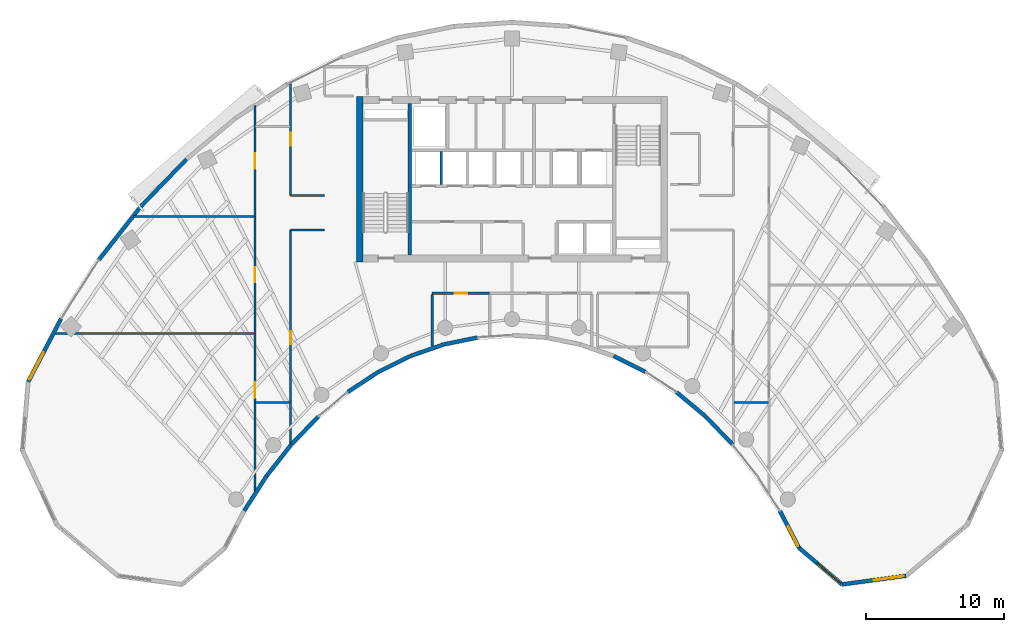
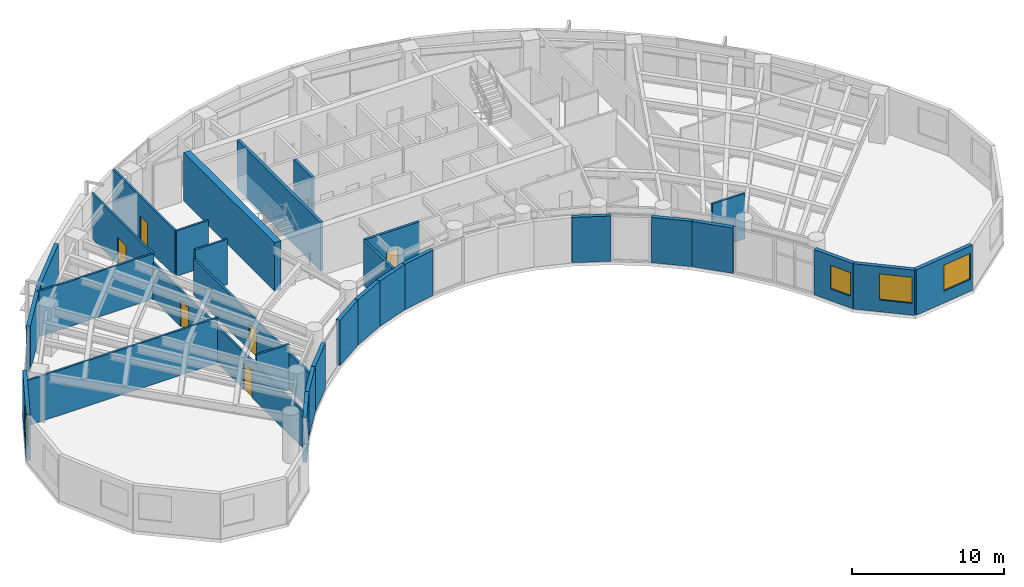
# One storey, part 7 of 13: 32 walls, 6 doors, 4 windows, 10 openings.
"""IFC4 building model written with IfcOpenShell, lengths in metres."""

from ifc_helpers import new_model, si_unit, direction, frame, frame_2d, origin, place, context, subcontext, project, spatial, rectangle, extrude, source, transform, mapped, material, layer, layer_set, type_object, type_shapes, element, fill, save


model = new_model("IFC4")

# Units and contexts
model_context = context("Model", 3, precision=1e-05, world=origin(), true_north=direction((0.0, 1.0)))
body_context = subcontext(model_context, "Body", "Model", "MODEL_VIEW")
ifc_project = project(units=[si_unit("LENGTHUNIT", "METRE"), si_unit("AREAUNIT", "SQUARE_METRE"), si_unit("VOLUMEUNIT", "CUBIC_METRE"), si_unit("PLANEANGLEUNIT", "RADIAN"), si_unit("MASSUNIT", "GRAM", prefix="KILO")], contexts=[model_context])

# Site, building, storey
site_placement = place(None, origin())
site = spatial("IfcSite", under=ifc_project, at=site_placement, CompositionType="ELEMENT")
building_placement = place(site_placement, origin())
building = spatial("IfcBuilding", under=site, at=building_placement, Name="Breltana Convention Tower", CompositionType="ELEMENT")
storey_placement = place(building_placement, frame((0.0, 0.0, 142.800048828125)))
storey = spatial("IfcBuildingStorey", under=building, at=storey_placement, Name="L34", CompositionType="ELEMENT", Elevation=142.800048828125)

# Walls
ifc_material_1 = material(Name="Concrete C60/75", Category="concrete")
ifc_layer_1 = layer(ifc_material_1, 0.5, Name="Concrete C60/75")
ifc_layer_set_1 = layer_set([ifc_layer_1], Name="Concrete C60/75")
wall_type_1 = type_object("IfcWallType", Name="SW-CORE-500", PredefinedType="SHEAR", material=ifc_layer_set_1)
shared_shape_1 = source(origin(), body_context, "Body", "SweptSolid", [
    extrude(rectangle(XDim=12.0, YDim=0.5, at=frame_2d((6.0, 0.0))), origin(), (0.0, 0.0, 1.0), 3.89990234375),
])
wall_1_placement = place(storey_placement, frame((36.949951171875, 60.199951171875, 0.0), z_axis=(0.0, 0.0, 1.0), x_axis=(0.0, 1.0, 0.0)))
element("IfcWall", 1, at=wall_1_placement, inside=storey, type_object=wall_type_1, Name="L34 West Core Shear Wall", PredefinedType="SHEAR", context=body_context, shape_type="MappedRepresentation", body=[
    mapped(shared_shape_1, transform((0.0, 0.0, 0.0), scale=1.0)),
])
ifc_material_2 = material(Name="Concrete C50/60", Category="concrete")
ifc_layer_2 = layer(ifc_material_2, 0.39990234375, Name="Concrete C50/60")
ifc_layer_set_2 = layer_set([ifc_layer_2], Name="Concrete C50/60")
wall_type_2 = type_object("IfcWallType", Name="SW-CORE-400", PredefinedType="SHEAR", material=ifc_layer_set_2)
shared_shape_2 = source(origin(), body_context, "Body", "SweptSolid", [
    extrude(rectangle(XDim=11.0, YDim=0.219970703125, at=frame_2d((5.5, 0.0))), origin(), (0.0, 0.0, 1.0), 3.89990234375),
])
wall_2_placement = place(storey_placement, frame((40.580078125, 60.699951171875, 0.0), z_axis=(0.0, 0.0, 1.0), x_axis=(0.0, 1.0, 0.0)))
element("IfcWall", 2, at=wall_2_placement, inside=storey, type_object=wall_type_2, Name="L34 Core West Stair Spine Wall", PredefinedType="SHEAR", context=body_context, shape_type="MappedRepresentation", body=[
    mapped(shared_shape_2, transform((0.0, 0.0, 0.0), scale=1.0)),
])

# Wall, opening, window
ifc_material_3 = material(Name="Limestone Buff Insulated Wall", Category="masonry")
ifc_layer_3 = layer(ifc_material_3, 0.280029296875, Name="Limestone Buff Insulated Wall")
ifc_layer_set_3 = layer_set([ifc_layer_3], Name="Limestone Buff Insulated Wall")
wall_type_3 = type_object("IfcWallType", Name="WL-EXT-NOSE-280", PredefinedType="SOLIDWALL", material=ifc_layer_set_3)
shared_shape_3 = source(origin(), body_context, "Body", "SweptSolid", [
    extrude(rectangle(XDim=4.680419921875, YDim=0.280029296875, at=frame_2d((2.34033203125, 0.0))), origin(), (0.0, 0.0, 1.0), 3.64990234375),
])
wall_3_placement = place(storey_placement, frame((76.594482421875, 37.41650390625, 0.0), z_axis=(0.0, 0.0, 1.0), x_axis=(-0.990931146435, -0.134370618162, 0.0)))
wall_3 = element("IfcWall", 3, at=wall_3_placement, inside=storey, type_object=wall_type_3, Name="L34 curved limestone nose wall E4", PredefinedType="SOLIDWALL", context=body_context, shape_type="MappedRepresentation", body=[
    mapped(shared_shape_3, transform((0.0, 0.0, 0.0), scale=1.0)),
])
opening_1_placement = place(wall_3_placement, frame((0.159912109375, 0.0, 0.949951171875)))
opening_1 = element("IfcOpeningElement", 4, at=opening_1_placement, cuts=wall_3, Name="Opening W-03", PredefinedType="OPENING", context=body_context, shape_type="SweptSolid", body=[
    extrude(rectangle(XDim=2.199951171875, YDim=2.10009765625, at=frame_2d((1.10009765625, 1.050048828125))), frame((0.0, 0.14990234375, 0.0), z_axis=(0.0, -1.0, 0.0), x_axis=(1.0, 0.0, 0.0)), (0.0, 0.0, 1.0), 0.300048828125),
])
ifc_material_4 = material(Name="Glass Low-E Insulated Window", Category="glass")
window_type_1 = type_object("IfcWindowType", Name="WN-NOSE-2200X2100", PartitioningType="TRIPLE_PANEL_VERTICAL", PredefinedType="WINDOW", material=ifc_material_4)
shared_shape_4 = source(origin(), body_context, "Body", "SweptSolid", [
    extrude(rectangle(XDim=2.199951171875, YDim=2.10009765625, at=frame_2d((1.10009765625, 1.050048828125))), frame((0.0, 0.030029296875, 0.0), z_axis=(0.0, -1.0, 0.0), x_axis=(1.0, 0.0, 0.0)), (0.0, 0.0, 1.0), 0.06005859375),
])
type_shapes(window_type_1, [shared_shape_4])
window_1_placement = place(opening_1_placement, origin())
window_1 = element("IfcWindow", 5, at=window_1_placement, inside=storey, type_object=window_type_1, Name="L34 nose window E4", OverallHeight=2.10009765625, OverallWidth=2.199951171875, PartitioningType="TRIPLE_PANEL_VERTICAL", PredefinedType="WINDOW", context=body_context, shape_type="MappedRepresentation", body=[
    mapped(shared_shape_4, transform((0.0, 0.0, 0.0), scale=1.0)),
])
fill(opening_1, window_1)

shared_shape_5 = source(origin(), body_context, "Body", "SweptSolid", [
    extrude(rectangle(XDim=4.095947265625, YDim=0.280029296875, at=frame_2d((2.0478515625, 0.0))), origin(), (0.0, 0.0, 1.0), 3.64990234375),
])
wall_4_placement = place(storey_placement, frame((71.95654296875, 36.78759765625, 0.0), z_axis=(0.0, 0.0, 1.0), x_axis=(-0.761926081737, 0.647663991564, 0.0)))
wall_4 = element("IfcWall", 6, at=wall_4_placement, inside=storey, type_object=wall_type_3, Name="L34 curved limestone nose wall E5", PredefinedType="SOLIDWALL", context=body_context, shape_type="MappedRepresentation", body=[
    mapped(shared_shape_5, transform((0.0, 0.0, 0.0), scale=1.0)),
])
opening_2_placement = place(wall_4_placement, frame((0.159912109375, 0.0, 0.949951171875)))
opening_2 = element("IfcOpeningElement", 7, at=opening_2_placement, cuts=wall_4, Name="Opening W-03", PredefinedType="OPENING", context=body_context, shape_type="SweptSolid", body=[
    extrude(rectangle(XDim=2.199951171875, YDim=2.10009765625, at=frame_2d((1.10009765625, 1.050048828125))), frame((0.0, 0.14990234375, 0.0), z_axis=(0.0, -1.0, 0.0), x_axis=(1.0, 0.0, 0.0)), (0.0, 0.0, 1.0), 0.300048828125),
])
window_2_placement = place(opening_2_placement, origin())
window_2 = element("IfcWindow", 8, at=window_2_placement, inside=storey, type_object=window_type_1, Name="L34 nose window E5", OverallHeight=2.10009765625, OverallWidth=2.199951171875, PartitioningType="TRIPLE_PANEL_VERTICAL", PredefinedType="WINDOW", context=body_context, shape_type="MappedRepresentation", body=[
    mapped(shared_shape_4, transform((0.0, 0.0, 0.0), scale=1.0)),
])
fill(opening_2, window_2)

shared_shape_6 = source(origin(), body_context, "Body", "SweptSolid", [
    extrude(rectangle(XDim=3.02392578125, YDim=0.280029296875, at=frame_2d((1.511962890625, 0.0))), origin(), (0.0, 0.0, 1.0), 3.64990234375),
])
wall_5_placement = place(storey_placement, frame((68.835693359375, 39.4404296875, 0.0), z_axis=(0.0, 0.0, 1.0), x_axis=(-0.461718746531, 0.887026380161, 0.0)))
wall_5 = element("IfcWall", 9, at=wall_5_placement, inside=storey, type_object=wall_type_3, Name="L34 curved limestone nose wall E6", PredefinedType="SOLIDWALL", context=body_context, shape_type="MappedRepresentation", body=[
    mapped(shared_shape_6, transform((0.0, 0.0, 0.0), scale=1.0)),
])
opening_3_placement = place(wall_5_placement, frame((0.159912109375, 0.0, 0.949951171875)))
opening_3 = element("IfcOpeningElement", 10, at=opening_3_placement, cuts=wall_5, Name="Opening W-04", PredefinedType="OPENING", context=body_context, shape_type="SweptSolid", body=[
    extrude(rectangle(XDim=1.60009765625, YDim=1.89990234375, at=frame_2d((0.800048828125, 0.949951171875))), frame((0.0, 0.14990234375, 0.0), z_axis=(0.0, -1.0, 0.0), x_axis=(1.0, 0.0, 0.0)), (0.0, 0.0, 1.0), 0.300048828125),
])
window_type_2 = type_object("IfcWindowType", Name="WN-NOSE-1600X1900", PartitioningType="SINGLE_PANEL", PredefinedType="WINDOW", material=ifc_material_4)
shared_shape_7 = source(origin(), body_context, "Body", "SweptSolid", [
    extrude(rectangle(XDim=1.60009765625, YDim=1.89990234375, at=frame_2d((0.800048828125, 0.949951171875))), frame((0.0, 0.030029296875, 0.0), z_axis=(0.0, -1.0, 0.0), x_axis=(1.0, 0.0, 0.0)), (0.0, 0.0, 1.0), 0.06005859375),
])
type_shapes(window_type_2, [shared_shape_7])
window_3_placement = place(opening_3_placement, origin())
window_3 = element("IfcWindow", 11, at=window_3_placement, inside=storey, type_object=window_type_2, Name="L34 nose window E6", OverallHeight=1.89990234375, OverallWidth=1.60009765625, PartitioningType="SINGLE_PANEL", PredefinedType="WINDOW", context=body_context, shape_type="MappedRepresentation", body=[
    mapped(shared_shape_7, transform((0.0, 0.0, 0.0), scale=1.0)),
])
fill(opening_3, window_3)

# Walls
shared_shape_8 = source(origin(), body_context, "Body", "SweptSolid", [
    extrude(rectangle(XDim=2.812255859375, YDim=0.280029296875, at=frame_2d((1.40625, 0.0))), origin(), (0.0, 0.0, 1.0), 3.64990234375),
])
for number, where, z_axis, x_axis, name in (
    (12, (64.00830078125, 46.9501953125, 0.0), (0.0, 0.0, 1.0), (-0.694583668785, 0.719411931411, 0.0), "L34 curved limestone nose wall E7"),
    (13, (33.945068359375, 48.973388671875, 0.0), (0.0, 0.0, 1.0), (-0.694583668785, -0.719411931411, 0.0), "L34 curved limestone nose wall E17"),
):
    element("IfcWall", number, at=place(storey_placement, frame(where, z_axis=z_axis, x_axis=x_axis)), inside=storey, type_object=wall_type_3, Name=name, PredefinedType="SOLIDWALL", context=body_context, shape_type="MappedRepresentation", body=[
        mapped(shared_shape_8, transform((0.0, 0.0, 0.0), scale=1.0)),
    ])
shared_shape_9 = source(origin(), body_context, "Body", "SweptSolid", [
    extrude(rectangle(XDim=2.7294921875, YDim=0.280029296875, at=frame_2d((1.36474609375, 0.0))), origin(), (0.0, 0.0, 1.0), 3.64990234375),
])
wall_6_placement = place(storey_placement, frame((62.040771484375, 48.986572265625, 0.0), z_axis=(0.0, 0.0, 1.0), x_axis=(-0.767957284255, 0.640501061326, 0.0)))
element("IfcWall", 14, at=wall_6_placement, inside=storey, type_object=wall_type_3, Name="L34 curved limestone nose wall E8", PredefinedType="SOLIDWALL", context=body_context, shape_type="MappedRepresentation", body=[
    mapped(shared_shape_9, transform((0.0, 0.0, 0.0), scale=1.0)),
])
shared_shape_10 = source(origin(), body_context, "Body", "SweptSolid", [
    extrude(rectangle(XDim=2.58447265625, YDim=0.280029296875, at=frame_2d((1.292236328125, 0.0))), origin(), (0.0, 0.0, 1.0), 3.64990234375),
])
for number, where, z_axis, x_axis, name in (
    (15, (57.692138671875, 52.21337890625, 0.0), (0.0, 0.0, 1.0), (-0.895989792847, 0.44407464588, 0.0), "L34 curved limestone nose wall E9"),
    (16, (40.62353515625, 53.361083984375, 0.0), (0.0, 0.0, 1.0), (-0.895989792847, -0.44407464588, 0.0), "L34 curved limestone nose wall E15"),
):
    element("IfcWall", number, at=place(storey_placement, frame(where, z_axis=z_axis, x_axis=x_axis)), inside=storey, type_object=wall_type_3, Name=name, PredefinedType="SOLIDWALL", context=body_context, shape_type="MappedRepresentation", body=[
        mapped(shared_shape_10, transform((0.0, 0.0, 0.0), scale=1.0)),
    ])
shared_shape_11 = source(origin(), body_context, "Body", "SweptSolid", [
    extrude(rectangle(XDim=2.52978515625, YDim=0.280029296875, at=frame_2d((1.264892578125, 0.0))), origin(), (0.0, 0.0, 1.0), 3.64990234375),
])
wall_7_placement = place(storey_placement, frame((43.034912109375, 54.1982421875, 0.0), z_axis=(0.0, 0.0, 1.0), x_axis=(-0.944872429646, -0.327438683872, 0.0)))
element("IfcWall", 17, at=wall_7_placement, inside=storey, type_object=wall_type_3, Name="L34 curved limestone nose wall E14", PredefinedType="SOLIDWALL", context=body_context, shape_type="MappedRepresentation", body=[
    mapped(shared_shape_11, transform((0.0, 0.0, 0.0), scale=1.0)),
])
shared_shape_12 = source(origin(), body_context, "Body", "SweptSolid", [
    extrude(rectangle(XDim=2.4912109375, YDim=0.280029296875, at=frame_2d((1.24560546875, 0.0))), origin(), (0.0, 0.0, 1.0), 3.64990234375),
])
wall_8_placement = place(storey_placement, frame((45.498046875, 54.704833984375, 0.0), z_axis=(0.0, 0.0, 1.0), x_axis=(-0.979630885979, -0.200806691214, 0.0)))
element("IfcWall", 18, at=wall_8_placement, inside=storey, type_object=wall_type_3, Name="L34 curved limestone nose wall E13", PredefinedType="SOLIDWALL", context=body_context, shape_type="MappedRepresentation", body=[
    mapped(shared_shape_12, transform((0.0, 0.0, 0.0), scale=1.0)),
])
shared_shape_13 = source(origin(), body_context, "Body", "SweptSolid", [
    extrude(rectangle(XDim=2.65234375, YDim=0.280029296875, at=frame_2d((1.326171875, 0.0))), origin(), (0.0, 0.0, 1.0), 3.64990234375),
])
wall_9_placement = place(storey_placement, frame((38.2890625, 52.202392578125, 0.0), z_axis=(0.0, 0.0, 1.0), x_axis=(-0.836008323535, -0.54871676025, 0.0)))
element("IfcWall", 19, at=wall_9_placement, inside=storey, type_object=wall_type_3, Name="L34 curved limestone nose wall E16", PredefinedType="SOLIDWALL", context=body_context, shape_type="MappedRepresentation", body=[
    mapped(shared_shape_13, transform((0.0, 0.0, 0.0), scale=1.0)),
])
shared_shape_14 = source(origin(), body_context, "Body", "SweptSolid", [
    extrude(rectangle(XDim=2.89697265625, YDim=0.280029296875, at=frame_2d((1.448486328125, 0.0))), origin(), (0.0, 0.0, 1.0), 3.64990234375),
])
wall_10_placement = place(storey_placement, frame((31.9794921875, 46.936279296875, 0.0), z_axis=(0.0, 0.0, 1.0), x_axis=(-0.618167636915, -0.786046291685, 0.0)))
element("IfcWall", 20, at=wall_10_placement, inside=storey, type_object=wall_type_3, Name="L34 curved limestone nose wall E18", PredefinedType="SOLIDWALL", context=body_context, shape_type="MappedRepresentation", body=[
    mapped(shared_shape_14, transform((0.0, 0.0, 0.0), scale=1.0)),
])
shared_shape_15 = source(origin(), body_context, "Body", "SweptSolid", [
    extrude(rectangle(XDim=2.980712890625, YDim=0.280029296875, at=frame_2d((1.490234375, 0.0))), origin(), (0.0, 0.0, 1.0), 3.64990234375),
])
wall_11_placement = place(storey_placement, frame((30.1787109375, 44.64501953125, 0.0), z_axis=(0.0, 0.0, 1.0), x_axis=(-0.540194451908, -0.841540227278, 0.0)))
element("IfcWall", 21, at=wall_11_placement, inside=storey, type_object=wall_type_3, Name="L34 curved limestone nose wall E19", PredefinedType="SOLIDWALL", context=body_context, shape_type="MappedRepresentation", body=[
    mapped(shared_shape_15, transform((0.0, 0.0, 0.0), scale=1.0)),
])

# Wall, opening, window
shared_shape_16 = source(origin(), body_context, "Body", "SweptSolid", [
    extrude(rectangle(XDim=5.1708984375, YDim=0.280029296875, at=frame_2d((2.58544921875, 0.0))), origin(), (0.0, 0.0, 1.0), 3.64990234375),
])
wall_12_placement = place(storey_placement, frame((12.897705078125, 51.48876953125, 0.0), z_axis=(0.0, 0.0, 1.0), x_axis=(0.461752581363, 0.887008767491, 0.0)))
wall_12 = element("IfcWall", 22, at=wall_12_placement, inside=storey, type_object=wall_type_3, Name="L34 curved limestone nose wall W7", PredefinedType="SOLIDWALL", context=body_context, shape_type="MappedRepresentation", body=[
    mapped(shared_shape_16, transform((0.0, 0.0, 0.0), scale=1.0)),
])
opening_4_placement = place(wall_12_placement, frame((0.19287109375, 0.0, 0.949951171875)))
opening_4 = element("IfcOpeningElement", 23, at=opening_4_placement, cuts=wall_12, Name="Opening W-03", PredefinedType="OPENING", context=body_context, shape_type="SweptSolid", body=[
    extrude(rectangle(XDim=2.199951171875, YDim=2.10009765625, at=frame_2d((1.10009765625, 1.050048828125))), frame((0.0, 0.14990234375, 0.0), z_axis=(0.0, -1.0, 0.0), x_axis=(1.0, 0.0, 0.0)), (0.0, 0.0, 1.0), 0.300048828125),
])
window_4_placement = place(opening_4_placement, origin())
window_4 = element("IfcWindow", 24, at=window_4_placement, inside=storey, type_object=window_type_1, Name="L34 nose window W7", OverallHeight=2.10009765625, OverallWidth=2.199951171875, PartitioningType="TRIPLE_PANEL_VERTICAL", PredefinedType="WINDOW", context=body_context, shape_type="MappedRepresentation", body=[
    mapped(shared_shape_4, transform((0.0, 0.0, 0.0), scale=1.0)),
])
fill(opening_4, window_4)

# Walls
shared_shape_17 = source(origin(), body_context, "Body", "SweptSolid", [
    extrude(rectangle(XDim=4.921630859375, YDim=0.280029296875, at=frame_2d((2.4609375, 0.0))), origin(), (0.0, 0.0, 1.0), 3.64990234375),
])
wall_13_placement = place(storey_placement, frame((18.021240234375, 60.337646484375, 0.0), z_axis=(0.0, 0.0, 1.0), x_axis=(0.61817639101, 0.786039407153, 0.0)))
element("IfcWall", 25, at=wall_13_placement, inside=storey, type_object=wall_type_3, Name="L34 curved limestone nose wall E20", PredefinedType="SOLIDWALL", context=body_context, shape_type="MappedRepresentation", body=[
    mapped(shared_shape_17, transform((0.0, 0.0, 0.0), scale=1.0)),
])
shared_shape_18 = source(origin(), body_context, "Body", "SweptSolid", [
    extrude(rectangle(XDim=4.77587890625, YDim=0.280029296875, at=frame_2d((2.387939453125, 0.0))), origin(), (0.0, 0.0, 1.0), 3.64990234375),
])
wall_14_placement = place(storey_placement, frame((21.063720703125, 64.206298828125, 0.0), z_axis=(0.0, 0.0, 1.0), x_axis=(0.694601811851, 0.719394414055, 0.0)))
element("IfcWall", 26, at=wall_14_placement, inside=storey, type_object=wall_type_3, Name="L34 curved limestone nose wall E21", PredefinedType="SOLIDWALL", context=body_context, shape_type="MappedRepresentation", body=[
    mapped(shared_shape_18, transform((0.0, 0.0, 0.0), scale=1.0)),
])
ifc_material_5 = material(Name="Autoclaved Aerated Concrete Block", Category="concrete")
ifc_layer_4 = layer(ifc_material_5, 0.199951171875, Name="Autoclaved Aerated Concrete Block")
ifc_layer_set_4 = layer_set([ifc_layer_4], Name="Autoclaved Aerated Concrete Block")
wall_type_4 = type_object("IfcWallType", Name="WL-SHAFT-200", PredefinedType="SOLIDWALL", material=ifc_layer_set_4)
shared_shape_19 = source(origin(), body_context, "Body", "SweptSolid", [
    extrude(rectangle(XDim=2.39990234375, YDim=0.199951171875, at=frame_2d((1.199951171875, 0.0))), origin(), (0.0, 0.0, 1.0), 3.64990234375),
])
wall_15_placement = place(storey_placement, frame((42.8701171875, 65.800048828125, 0.0), z_axis=(0.0, 0.0, 1.0), x_axis=(0.0, 1.0, 0.0)))
element("IfcWall", 27, at=wall_15_placement, inside=storey, type_object=wall_type_4, Name="L34 interior partition W-L34-SH-M-DIV1", PredefinedType="SOLIDWALL", context=body_context, shape_type="MappedRepresentation", body=[
    mapped(shared_shape_19, transform((0.0, 0.0, 0.0), scale=1.0)),
])

# Wall, opening, door
ifc_material_6 = material(Name="Moisture-Resistant Gypsum Chase Wall")
ifc_layer_5 = layer(ifc_material_6, 0.179931640625, Name="Moisture-Resistant Gypsum Chase Wall")
ifc_layer_set_5 = layer_set([ifc_layer_5], Name="Moisture-Resistant Gypsum Chase Wall")
wall_type_5 = type_object("IfcWallType", Name="WL-PLUMB-180", PredefinedType="PLUMBINGWALL", material=ifc_layer_set_5)
shared_shape_20 = source(origin(), body_context, "Body", "SweptSolid", [
    extrude(rectangle(XDim=4.176025390625, YDim=0.179931640625, at=frame_2d((2.087890625, 0.0))), origin(), (0.0, 0.0, 1.0), 3.64990234375),
])
wall_16_placement = place(storey_placement, frame((42.199951171875, 57.919921875, 0.0), z_axis=(0.0, 0.0, 1.0), x_axis=(1.0, 0.0, 0.0)))
wall_16 = element("IfcWall", 28, at=wall_16_placement, inside=storey, type_object=wall_type_5, Name="L34 interior partition W-L34-WCM-N", PredefinedType="PLUMBINGWALL", context=body_context, shape_type="MappedRepresentation", body=[
    mapped(shared_shape_20, transform((0.0, 0.0, 0.0), scale=1.0)),
])
opening_5_placement = place(wall_16_placement, frame((1.637939453125, 0.0, 0.0)))
opening_5 = element("IfcOpeningElement", 29, at=opening_5_placement, cuts=wall_16, Name="Opening D-19", PredefinedType="OPENING", context=body_context, shape_type="SweptSolid", body=[
    extrude(rectangle(XDim=0.89990234375, YDim=2.080078125, at=frame_2d((0.449951171875, 1.0400390625))), frame((0.0, 0.10009765625, 0.0), z_axis=(0.0, -1.0, 0.0), x_axis=(1.0, 0.0, 0.0)), (0.0, 0.0, 1.0), 0.199951171875),
])
ifc_material_7 = material(Name="Timber Moisture-Resistant Door", Category="wood")
door_type_1 = type_object("IfcDoorType", Name="DR-WC-900", OperationType="NOTDEFINED", PredefinedType="DOOR", material=ifc_material_7)
shared_shape_21 = source(origin(), body_context, "Body", "SweptSolid", [
    extrude(rectangle(XDim=0.89990234375, YDim=2.080078125, at=frame_2d((0.449951171875, 1.0400390625))), frame((0.0, 0.02490234375, 0.0), z_axis=(0.0, -1.0, 0.0), x_axis=(1.0, 0.0, 0.0)), (0.0, 0.0, 1.0), 0.050048828125),
])
type_shapes(door_type_1, [shared_shape_21])
door_1_placement = place(opening_5_placement, origin())
door_1 = element("IfcDoor", 30, at=door_1_placement, inside=storey, type_object=door_type_1, Name="L34 interior door D-L34-WCM", OperationType="SINGLE_SWING_LEFT", OverallHeight=2.080078125, OverallWidth=0.89990234375, PredefinedType="DOOR", context=body_context, shape_type="MappedRepresentation", body=[
    mapped(shared_shape_21, transform((0.0, 0.0, 0.0), scale=1.0)),
])
fill(opening_5, door_1)

# Walls
ifc_material_8 = material(Name="Cement Board Wet-Area Partition")
ifc_layer_6 = layer(ifc_material_8, 0.175048828125, Name="Cement Board Wet-Area Partition")
ifc_layer_set_6 = layer_set([ifc_layer_6], Name="Cement Board Wet-Area Partition")
wall_type_6 = type_object("IfcWallType", Name="WL-WET-175", PredefinedType="PARTITIONING", material=ifc_layer_set_6)
shared_shape_22 = source(origin(), body_context, "Body", "SweptSolid", [
    extrude(rectangle(XDim=3.7626953125, YDim=0.175048828125, at=frame_2d((1.88134765625, 0.0))), origin(), (0.0, 0.0, 1.0), 3.64990234375),
])
wall_17_placement = place(storey_placement, frame((42.199951171875, 54.07861328125, 0.0), z_axis=(0.0, 0.0, 1.0), x_axis=(0.0, 1.0, 0.0)))
element("IfcWall", 31, at=wall_17_placement, inside=storey, type_object=wall_type_6, Name="L34 interior partition W-L34-WCM-W", PredefinedType="PARTITIONING", context=body_context, shape_type="MappedRepresentation", body=[
    mapped(shared_shape_22, transform((0.0, 0.0, 0.0), scale=1.0)),
])
ifc_material_9 = material(Name="Gypsum Acoustic Drywall Partition")
ifc_layer_7 = layer(ifc_material_9, 0.14990234375, Name="Gypsum Acoustic Drywall Partition")
ifc_layer_set_7 = layer_set([ifc_layer_7], Name="Gypsum Acoustic Drywall Partition")
wall_type_7 = type_object("IfcWallType", Name="WL-PART-150", PredefinedType="PARTITIONING", material=ifc_layer_set_7)
shared_shape_23 = source(origin(), body_context, "Body", "SweptSolid", [
    extrude(rectangle(XDim=2.5, YDim=0.14990234375, at=frame_2d((1.25, 0.0))), origin(), (0.0, 0.0, 1.0), 3.64990234375),
])
for number, where, z_axis, x_axis, name in (
    (32, (29.39990234375, 50.0, 0.0), (0.0, 0.0, 1.0), (1.0, 0.0, 0.0), "L34 interior partition W-L34-CORNW-S"),
    (33, (64.10009765625, 50.0, 0.0), (0.0, 0.0, 1.0), (1.0, 0.0, 0.0), "L34 interior partition W-L34-CORNE-S"),
):
    element("IfcWall", number, at=place(storey_placement, frame(where, z_axis=z_axis, x_axis=x_axis)), inside=storey, type_object=wall_type_7, Name=name, PredefinedType="PARTITIONING", context=body_context, shape_type="MappedRepresentation", body=[
        mapped(shared_shape_23, transform((0.0, 0.0, 0.0), scale=1.0)),
    ])

# Wall, opening, door
shared_shape_24 = source(origin(), body_context, "Body", "SweptSolid", [
    extrude(rectangle(XDim=11.61181640625, YDim=0.14990234375, at=frame_2d((5.805908203125, 0.0))), origin(), (0.0, 0.0, 1.0), 2.94189453125),
])
wall_18_placement = place(storey_placement, frame((29.360107421875, 43.38818359375, 0.0), z_axis=(0.0, 0.0, 1.0), x_axis=(0.0, 1.0, 0.0)))
wall_18 = element("IfcWall", 34, at=wall_18_placement, inside=storey, type_object=wall_type_7, Name="L34 interior partition W-L34-ZW1-E", PredefinedType="PARTITIONING", context=body_context, shape_type="MappedRepresentation", body=[
    mapped(shared_shape_24, transform((0.0, 0.0, 0.0), scale=1.0)),
])
opening_6_placement = place(wall_18_placement, frame((6.9619140625, 0.0, 0.0)))
opening_6 = element("IfcOpeningElement", 35, at=opening_6_placement, cuts=wall_18, Name="Opening D-12", PredefinedType="OPENING", context=body_context, shape_type="SweptSolid", body=[
    extrude(rectangle(XDim=1.10009765625, YDim=2.14990234375, at=frame_2d((0.550048828125, 1.074951171875))), frame((0.0, 0.0849609375, 0.0), z_axis=(0.0, -1.0, 0.0), x_axis=(1.0, 0.0, 0.0)), (0.0, 0.0, 1.0), 0.169921875),
])
ifc_material_10 = material(Name="Timber Oak Acoustic Door", Category="wood")
door_type_2 = type_object("IfcDoorType", Name="DR-INT-1100", OperationType="NOTDEFINED", PredefinedType="DOOR", material=ifc_material_10)
shared_shape_25 = source(origin(), body_context, "Body", "SweptSolid", [
    extrude(rectangle(XDim=1.10009765625, YDim=2.14990234375, at=frame_2d((0.550048828125, 1.074951171875))), frame((0.0, 0.02490234375, 0.0), z_axis=(0.0, -1.0, 0.0), x_axis=(1.0, 0.0, 0.0)), (0.0, 0.0, 1.0), 0.050048828125),
])
type_shapes(door_type_2, [shared_shape_25])
door_2_placement = place(opening_6_placement, origin())
door_2 = element("IfcDoor", 36, at=door_2_placement, inside=storey, type_object=door_type_2, Name="L34 interior door D-L34-ZW1", OperationType="SINGLE_SWING_LEFT", OverallHeight=2.14990234375, OverallWidth=1.10009765625, PredefinedType="DOOR", context=body_context, shape_type="MappedRepresentation", body=[
    mapped(shared_shape_25, transform((0.0, 0.0, 0.0), scale=1.0)),
])
fill(opening_6, door_2)

# Wall
shared_shape_26 = source(origin(), body_context, "Body", "SweptSolid", [
    extrude(rectangle(XDim=14.623291015625, YDim=0.14990234375, at=frame_2d((7.3115234375, 0.0))), origin(), (0.0, 0.0, 1.0), 3.64990234375),
])
wall_19_placement = place(storey_placement, frame((14.73681640625, 55.0, 0.0), z_axis=(0.0, 0.0, 1.0), x_axis=(1.0, 0.0, 0.0)))
element("IfcWall", 37, at=wall_19_placement, inside=storey, type_object=wall_type_7, Name="L34 interior partition W-L34-ZW1-N", PredefinedType="PARTITIONING", context=body_context, shape_type="MappedRepresentation", body=[
    mapped(shared_shape_26, transform((0.0, 0.0, 0.0), scale=1.0)),
])

# Wall, opening, door
shared_shape_27 = source(origin(), body_context, "Body", "SweptSolid", [
    extrude(rectangle(XDim=8.5, YDim=0.14990234375, at=frame_2d((4.25, 0.0))), origin(), (0.0, 0.0, 1.0), 2.94189453125),
])
wall_20_placement = place(storey_placement, frame((29.360107421875, 55.0, 0.0), z_axis=(0.0, 0.0, 1.0), x_axis=(0.0, 1.0, 0.0)))
wall_20 = element("IfcWall", 38, at=wall_20_placement, inside=storey, type_object=wall_type_7, Name="L34 interior partition W-L34-ZW2-E", PredefinedType="PARTITIONING", context=body_context, shape_type="MappedRepresentation", body=[
    mapped(shared_shape_27, transform((0.0, 0.0, 0.0), scale=1.0)),
])
opening_7_placement = place(wall_20_placement, frame((3.699951171875, 0.0, 0.0)))
opening_7 = element("IfcOpeningElement", 39, at=opening_7_placement, cuts=wall_20, Name="Opening D-12", PredefinedType="OPENING", context=body_context, shape_type="SweptSolid", body=[
    extrude(rectangle(XDim=1.10009765625, YDim=2.14990234375, at=frame_2d((0.550048828125, 1.074951171875))), frame((0.0, 0.0849609375, 0.0), z_axis=(0.0, -1.0, 0.0), x_axis=(1.0, 0.0, 0.0)), (0.0, 0.0, 1.0), 0.169921875),
])
door_3_placement = place(opening_7_placement, origin())
door_3 = element("IfcDoor", 40, at=door_3_placement, inside=storey, type_object=door_type_2, Name="L34 interior door D-L34-ZW2", OperationType="SINGLE_SWING_RIGHT", OverallHeight=2.14990234375, OverallWidth=1.10009765625, PredefinedType="DOOR", context=body_context, shape_type="MappedRepresentation", body=[
    mapped(shared_shape_25, transform((0.0, 0.0, 0.0), scale=1.0)),
])
fill(opening_7, door_3)

# Wall
shared_shape_28 = source(origin(), body_context, "Body", "SweptSolid", [
    extrude(rectangle(XDim=8.839111328125, YDim=0.14990234375, at=frame_2d((4.41943359375, 0.0))), origin(), (0.0, 0.0, 1.0), 3.64990234375),
])
wall_21_placement = place(storey_placement, frame((20.52099609375, 63.5, 0.0), z_axis=(0.0, 0.0, 1.0), x_axis=(1.0, 0.0, 0.0)))
element("IfcWall", 41, at=wall_21_placement, inside=storey, type_object=wall_type_7, Name="L34 interior partition W-L34-ZW2-N", PredefinedType="PARTITIONING", context=body_context, shape_type="MappedRepresentation", body=[
    mapped(shared_shape_28, transform((0.0, 0.0, 0.0), scale=1.0)),
])

# Wall, opening, door
shared_shape_29 = source(origin(), body_context, "Body", "SweptSolid", [
    extrude(rectangle(XDim=8.03076171875, YDim=0.14990234375, at=frame_2d((4.015380859375, 0.0))), origin(), (0.0, 0.0, 1.0), 3.64990234375),
])
wall_22_placement = place(storey_placement, frame((29.360107421875, 63.5, 0.0), z_axis=(0.0, 0.0, 1.0), x_axis=(0.0, 1.0, 0.0)))
wall_22 = element("IfcWall", 42, at=wall_22_placement, inside=storey, type_object=wall_type_7, Name="L34 interior partition W-L34-ZW3-E", PredefinedType="PARTITIONING", context=body_context, shape_type="MappedRepresentation", body=[
    mapped(shared_shape_29, transform((0.0, 0.0, 0.0), scale=1.0)),
])
opening_8_placement = place(wall_22_placement, frame((3.46533203125, 0.0, 0.0)))
opening_8 = element("IfcOpeningElement", 43, at=opening_8_placement, cuts=wall_22, Name="Opening D-12", PredefinedType="OPENING", context=body_context, shape_type="SweptSolid", body=[
    extrude(rectangle(XDim=1.10009765625, YDim=2.14990234375, at=frame_2d((0.550048828125, 1.074951171875))), frame((0.0, 0.0849609375, 0.0), z_axis=(0.0, -1.0, 0.0), x_axis=(1.0, 0.0, 0.0)), (0.0, 0.0, 1.0), 0.169921875),
])
door_4_placement = place(opening_8_placement, origin())
door_4 = element("IfcDoor", 44, at=door_4_placement, inside=storey, type_object=door_type_2, Name="L34 interior door D-L34-ZW3", OperationType="SINGLE_SWING_LEFT", OverallHeight=2.14990234375, OverallWidth=1.10009765625, PredefinedType="DOOR", context=body_context, shape_type="MappedRepresentation", body=[
    mapped(shared_shape_25, transform((0.0, 0.0, 0.0), scale=1.0)),
])
fill(opening_8, door_4)

shared_shape_30 = source(origin(), body_context, "Body", "SweptSolid", [
    extrude(rectangle(XDim=15.597900390625, YDim=0.14990234375, at=frame_2d((7.798828125, 0.0))), origin(), (0.0, 0.0, 1.0), 2.94189453125),
])
wall_23_placement = place(storey_placement, frame((31.93994140625, 46.902099609375, 0.0), z_axis=(0.0, 0.0, 1.0), x_axis=(0.0, 1.0, 0.0)))
wall_23 = element("IfcWall", 45, at=wall_23_placement, inside=storey, type_object=wall_type_7, Name="L34 interior partition W-L34-ZMW1-D", PredefinedType="PARTITIONING", context=body_context, shape_type="MappedRepresentation", body=[
    mapped(shared_shape_30, transform((0.0, 0.0, 0.0), scale=1.0)),
])
opening_9_placement = place(wall_23_placement, frame((7.323974609375, 0.0, 0.0)))
opening_9 = element("IfcOpeningElement", 46, at=opening_9_placement, cuts=wall_23, Name="Opening D-17", PredefinedType="OPENING", context=body_context, shape_type="SweptSolid", body=[
    extrude(rectangle(XDim=0.949951171875, YDim=2.10009765625, at=frame_2d((0.47509765625, 1.050048828125))), frame((0.0, 0.0849609375, 0.0), z_axis=(0.0, -1.0, 0.0), x_axis=(1.0, 0.0, 0.0)), (0.0, 0.0, 1.0), 0.169921875),
])
ifc_material_11 = material(Name="Timber Oak Veneer Door", Category="wood")
door_type_3 = type_object("IfcDoorType", Name="DR-INT-950", OperationType="NOTDEFINED", PredefinedType="DOOR", material=ifc_material_11)
shared_shape_31 = source(origin(), body_context, "Body", "SweptSolid", [
    extrude(rectangle(XDim=0.949951171875, YDim=2.10009765625, at=frame_2d((0.47509765625, 1.050048828125))), frame((0.0, 0.02490234375, 0.0), z_axis=(0.0, -1.0, 0.0), x_axis=(1.0, 0.0, 0.0)), (0.0, 0.0, 1.0), 0.050048828125),
])
type_shapes(door_type_3, [shared_shape_31])
door_5_placement = place(opening_9_placement, origin())
door_5 = element("IfcDoor", 47, at=door_5_placement, inside=storey, type_object=door_type_3, Name="L34 interior door D-L34-ZMW1", OperationType="SINGLE_SWING_RIGHT", OverallHeight=2.10009765625, OverallWidth=0.949951171875, PredefinedType="DOOR", context=body_context, shape_type="MappedRepresentation", body=[
    mapped(shared_shape_31, transform((0.0, 0.0, 0.0), scale=1.0)),
])
fill(opening_9, door_5)

# Walls
shared_shape_32 = source(origin(), body_context, "Body", "SweptSolid", [
    extrude(rectangle(XDim=2.4599609375, YDim=0.14990234375, at=frame_2d((1.22998046875, 0.0))), origin(), (0.0, 0.0, 1.0), 3.64990234375),
])
for number, where, z_axis, x_axis, name in (
    (48, (31.93994140625, 62.5, 0.0), (0.0, 0.0, 1.0), (1.0, 0.0, 0.0), "L34 interior partition W-L34-ZMW1-TN"),
    (49, (31.93994140625, 65.0, 0.0), (0.0, 0.0, 1.0), (1.0, 0.0, 0.0), "L34 interior partition W-L34-ZMW2-TS"),
):
    element("IfcWall", number, at=place(storey_placement, frame(where, z_axis=z_axis, x_axis=x_axis)), inside=storey, type_object=wall_type_7, Name=name, PredefinedType="PARTITIONING", context=body_context, shape_type="MappedRepresentation", body=[
        mapped(shared_shape_32, transform((0.0, 0.0, 0.0), scale=1.0)),
    ])

# Wall, opening, door
shared_shape_33 = source(origin(), body_context, "Body", "SweptSolid", [
    extrude(rectangle(XDim=8.186767578125, YDim=0.14990234375, at=frame_2d((4.09326171875, 0.0))), origin(), (0.0, 0.0, 1.0), 3.64990234375),
])
wall_24_placement = place(storey_placement, frame((31.93994140625, 65.0, 0.0), z_axis=(0.0, 0.0, 1.0), x_axis=(0.0, 1.0, 0.0)))
wall_24 = element("IfcWall", 50, at=wall_24_placement, inside=storey, type_object=wall_type_7, Name="L34 interior partition W-L34-ZMW2-D", PredefinedType="PARTITIONING", context=body_context, shape_type="MappedRepresentation", body=[
    mapped(shared_shape_33, transform((0.0, 0.0, 0.0), scale=1.0)),
])
opening_10_placement = place(wall_24_placement, frame((3.618408203125, 0.0, 0.0)))
opening_10 = element("IfcOpeningElement", 51, at=opening_10_placement, cuts=wall_24, Name="Opening D-17", PredefinedType="OPENING", context=body_context, shape_type="SweptSolid", body=[
    extrude(rectangle(XDim=0.949951171875, YDim=2.10009765625, at=frame_2d((0.47509765625, 1.050048828125))), frame((0.0, 0.0849609375, 0.0), z_axis=(0.0, -1.0, 0.0), x_axis=(1.0, 0.0, 0.0)), (0.0, 0.0, 1.0), 0.169921875),
])
door_6_placement = place(opening_10_placement, origin())
door_6 = element("IfcDoor", 52, at=door_6_placement, inside=storey, type_object=door_type_3, Name="L34 interior door D-L34-ZMW2", OperationType="SINGLE_SWING_LEFT", OverallHeight=2.10009765625, OverallWidth=0.949951171875, PredefinedType="DOOR", context=body_context, shape_type="MappedRepresentation", body=[
    mapped(shared_shape_31, transform((0.0, 0.0, 0.0), scale=1.0)),
])
fill(opening_10, door_6)

save(model, "model.ifc")
